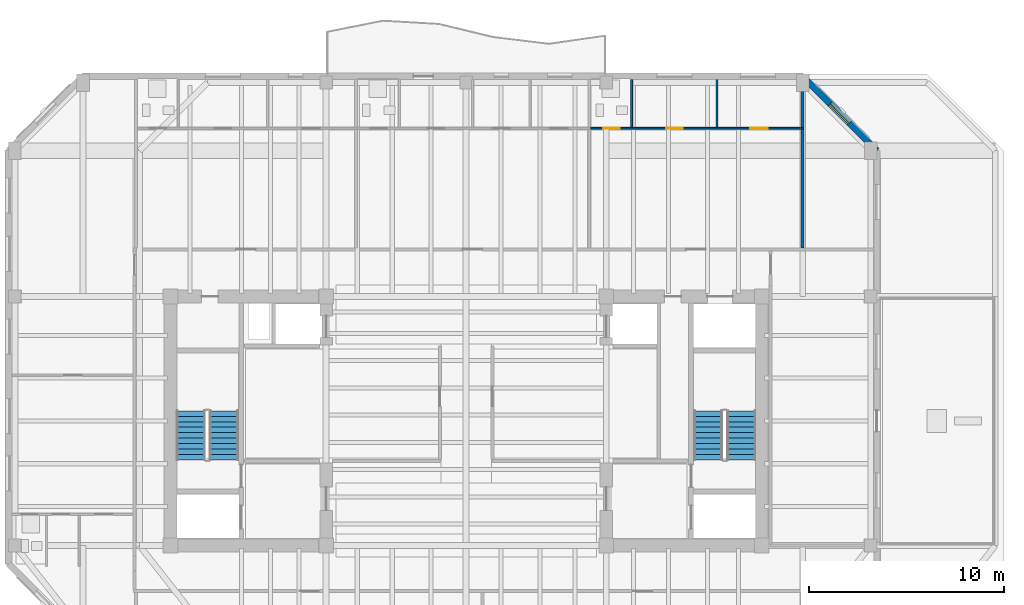
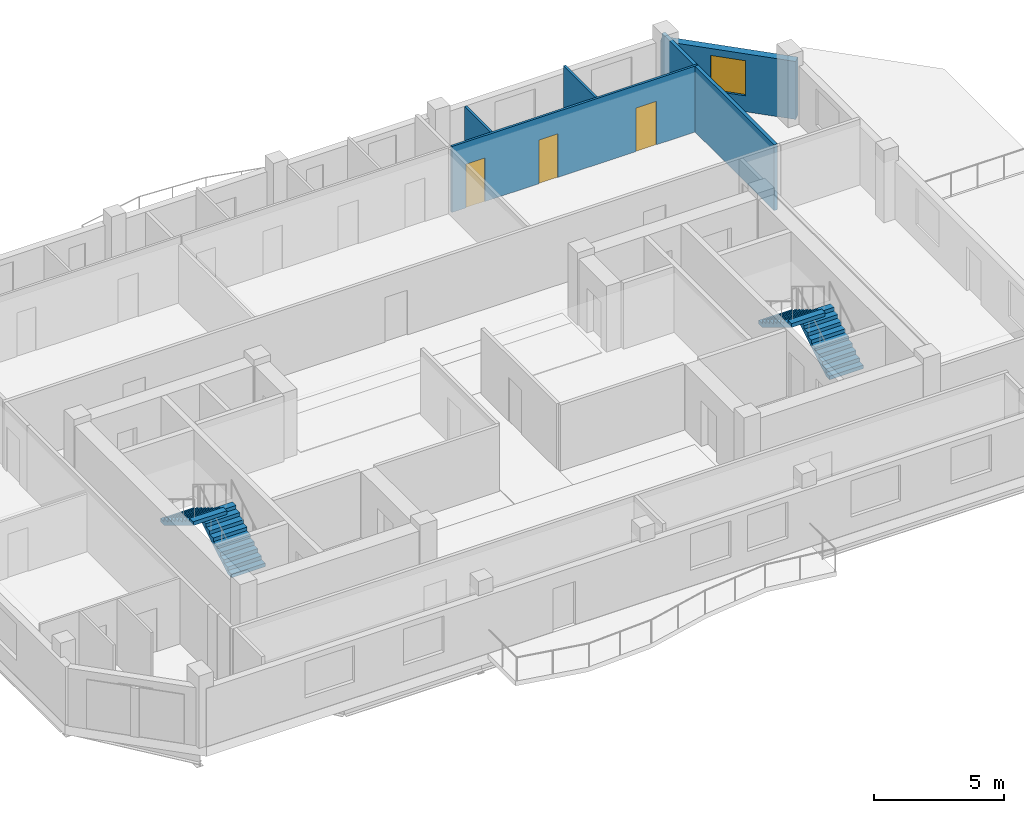
# One storey, part 6 of 10: 5 walls, 4 stair flights, 3 doors, 1 window, 4 openings, 2 elements without a shape of their own.
"""IFC4 building model written with IfcOpenShell, lengths in metres."""

from ifc_helpers import new_model, si_unit, direction, frame, frame_2d, origin, place, context, subcontext, project, spatial, polyline, rectangle, outline, extrude, material, layer, layer_set, type_object, element, fill, aggregate, save


model = new_model("IFC4")

# Units and contexts
model_context = context("Model", 3, precision=1e-05, world=origin(), true_north=direction((0.0, 1.0)))
body_context = subcontext(model_context, "Body", "Model", "MODEL_VIEW")
ifc_project = project(units=[si_unit("LENGTHUNIT", "METRE"), si_unit("AREAUNIT", "SQUARE_METRE"), si_unit("VOLUMEUNIT", "CUBIC_METRE"), si_unit("PLANEANGLEUNIT", "RADIAN"), si_unit("MASSUNIT", "GRAM", prefix="KILO")], contexts=[model_context])

# Site, building, storey
site_placement = place(None, origin())
site = spatial("IfcSite", under=ifc_project, at=site_placement, CompositionType="ELEMENT")
building_placement = place(site_placement, origin())
building = spatial("IfcBuilding", under=site, at=building_placement, Name="Kranthara Brick Stack", CompositionType="ELEMENT")
storey_placement = place(building_placement, frame((0.0, 0.0, 268.699951171875)))
storey = spatial("IfcBuildingStorey", under=building, at=storey_placement, Name="L71", CompositionType="ELEMENT", Elevation=268.699951171875)

# Wall, opening, window
ifc_material_1 = material(Name="Warm buff clay brick masonry M15", Category="masonry")
ifc_layer_1 = layer(ifc_material_1, 0.320068359375)
ifc_layer_set_1 = layer_set([ifc_layer_1], Name="Warm buff clay brick masonry M15")
wall_type_1 = type_object("IfcWallType", Name="WL-BRK-UPPR-320", PredefinedType="STANDARD", material=ifc_layer_set_1)
wall_1_placement = place(storey_placement, frame((45.300048828125, 44.919921875, 0.0), z_axis=(0.0, 0.0, 1.0), x_axis=(0.70712937715, -0.707084184501, 0.0)))
wall_1 = element("IfcWall", 1, at=wall_1_placement, inside=storey, type_object=wall_type_1, Name="L71 Exterior Brick Facade Wall NE 1", PredefinedType="STANDARD", context=body_context, shape_type="SweptSolid", body=[
    extrude(rectangle(XDim=5.402099609375, YDim=0.320068359375, at=frame_2d((2.701171875, 0.0))), origin(), (0.0, 0.0, 1.0), 2.72509765625),
])
opening_1_placement = place(wall_1_placement, frame((2.0009765625, 0.0, 0.75)))
opening_1 = element("IfcOpeningElement", 2, at=opening_1_placement, cuts=wall_1, Name="Opening WN10", PredefinedType="OPENING", context=body_context, shape_type="SweptSolid", body=[
    extrude(rectangle(XDim=1.39990234375, YDim=1.64990234375, at=frame_2d((0.699951171875, 0.824951171875))), frame((0.0, 0.169921875, 0.0), z_axis=(0.0, -1.0, 0.0), x_axis=(1.0, 0.0, 0.0)), (0.0, 0.0, 1.0), 0.340087890625),
])
ifc_material_2 = material(Name="Double-glazed low-E solar control glass", Category="glass")
window_type = type_object("IfcWindowType", Name="WN-CHM-1400x1750", PartitioningType="SINGLE_PANEL", PredefinedType="WINDOW", material=ifc_material_2)
window_placement = place(opening_1_placement, origin())
window = element("IfcWindow", 3, at=window_placement, inside=storey, type_object=window_type, Name="L71 NE Chamfer Corner Window", OverallHeight=1.64990234375, OverallWidth=1.39990234375, PartitioningType="SINGLE_PANEL", PredefinedType="WINDOW", context=body_context, shape_type="SweptSolid", body=[
    extrude(rectangle(XDim=1.39990234375, YDim=1.64990234375, at=frame_2d((0.699951171875, 0.824951171875))), frame((0.0, -0.010009765625, 0.0), z_axis=(0.0, -1.0, 0.0), x_axis=(1.0, 0.0, 0.0)), (0.0, 0.0, 1.0), 0.06005859375),
])
fill(opening_1, window)

# Wall, openings, doors
ifc_material_3 = material(Name="Moisture-resistant wet-room partition", Category="other")
ifc_layer_2 = layer(ifc_material_3, 0.10009765625)
ifc_layer_set_2 = layer_set([ifc_layer_2], Name="Moisture-resistant wet-room partition")
wall_type_2 = type_object("IfcWallType", Name="WL-PART-100", PredefinedType="PARTITIONING", material=ifc_layer_set_2)
wall_2_placement = place(storey_placement, frame((34.409912109375, 42.25, 0.0), z_axis=(0.0, 0.0, 1.0), x_axis=(1.0, 0.0, 0.0)))
wall_2 = element("IfcWall", 4, at=wall_2_placement, inside=storey, type_object=wall_type_2, Name="L71 Interior Partition 020", PredefinedType="PARTITIONING", context=body_context, shape_type="SweptSolid", body=[
    extrude(rectangle(XDim=10.93017578125, YDim=0.10009765625, at=frame_2d((5.465087890625, 0.0))), origin(), (0.0, 0.0, 1.0), 3.10009765625),
])
opening_2_placement = place(wall_2_placement, frame((0.625, 0.0, 0.0)))
opening_2 = element("IfcOpeningElement", 5, at=opening_2_placement, cuts=wall_2, Name="Opening D17", PredefinedType="OPENING", context=body_context, shape_type="SweptSolid", body=[
    extrude(rectangle(XDim=0.85009765625, YDim=2.050048828125, at=frame_2d((0.425048828125, 1.02490234375))), frame((0.0, 0.06005859375, 0.0), z_axis=(0.0, -1.0, 0.0), x_axis=(1.0, 0.0, 0.0)), (0.0, 0.0, 1.0), 0.1201171875),
])
opening_3_placement = place(wall_2_placement, frame((3.867919921875, 0.0, 0.0)))
opening_3 = element("IfcOpeningElement", 6, at=opening_3_placement, cuts=wall_2, Name="Opening D16", PredefinedType="OPENING", context=body_context, shape_type="SweptSolid", body=[
    extrude(rectangle(XDim=0.85009765625, YDim=2.050048828125, at=frame_2d((0.425048828125, 1.02490234375))), frame((0.0, 0.06005859375, 0.0), z_axis=(0.0, -1.0, 0.0), x_axis=(1.0, 0.0, 0.0)), (0.0, 0.0, 1.0), 0.1201171875),
])
opening_4_placement = place(wall_2_placement, frame((8.197998046875, 0.0, 0.0)))
opening_4 = element("IfcOpeningElement", 7, at=opening_4_placement, cuts=wall_2, Name="Opening D15", PredefinedType="OPENING", context=body_context, shape_type="SweptSolid", body=[
    extrude(rectangle(XDim=0.89990234375, YDim=2.050048828125, at=frame_2d((0.449951171875, 1.02490234375))), frame((0.0, 0.06005859375, 0.0), z_axis=(0.0, -1.0, 0.0), x_axis=(1.0, 0.0, 0.0)), (0.0, 0.0, 1.0), 0.1201171875),
])
ifc_material_4 = material(Name="Solid-core hardwood timber leaf in steel frame", Category="steel")
door_type_1 = type_object("IfcDoorType", Name="DR-INT-850", OperationType="NOTDEFINED", PredefinedType="DOOR", material=ifc_material_4)
door_1_placement = place(opening_3_placement, origin())
door_1 = element("IfcDoor", 8, at=door_1_placement, inside=storey, type_object=door_type_1, Name="L71 Unit L71C Kitchen 16", OperationType="SINGLE_SWING_RIGHT", OverallHeight=2.050048828125, OverallWidth=0.85009765625, PredefinedType="DOOR", context=body_context, shape_type="SweptSolid", body=[
    extrude(rectangle(XDim=0.85009765625, YDim=2.050048828125, at=frame_2d((0.425048828125, 1.02490234375))), frame((0.0, 0.02490234375, 0.0), z_axis=(0.0, -1.0, 0.0), x_axis=(1.0, 0.0, 0.0)), (0.0, 0.0, 1.0), 0.050048828125),
])
fill(opening_3, door_1)
ifc_material_5 = material(Name="Solid-core hardwood timber leaf in steel frame", Category="steel")
door_type_2 = type_object("IfcDoorType", Name="DR-INT-900", OperationType="NOTDEFINED", PredefinedType="DOOR", material=ifc_material_5)
door_2_placement = place(opening_4_placement, origin())
door_2 = element("IfcDoor", 9, at=door_2_placement, inside=storey, type_object=door_type_2, Name="L71 Unit L71C Bedroom 17", OperationType="SINGLE_SWING_LEFT", OverallHeight=2.050048828125, OverallWidth=0.89990234375, PredefinedType="DOOR", context=body_context, shape_type="SweptSolid", body=[
    extrude(rectangle(XDim=0.89990234375, YDim=2.050048828125, at=frame_2d((0.449951171875, 1.02490234375))), frame((0.0, 0.02490234375, 0.0), z_axis=(0.0, -1.0, 0.0), x_axis=(1.0, 0.0, 0.0)), (0.0, 0.0, 1.0), 0.050048828125),
])
fill(opening_4, door_2)
ifc_material_6 = material(Name="Solid-core hardwood timber leaf in steel frame", Category="steel")
door_type_3 = type_object("IfcDoorType", Name="DR-WET-850", OperationType="NOTDEFINED", PredefinedType="DOOR", material=ifc_material_6)
door_3_placement = place(opening_2_placement, origin())
door_3 = element("IfcDoor", 10, at=door_3_placement, inside=storey, type_object=door_type_3, Name="L71 Unit L71C Bathroom 15", OperationType="SINGLE_SWING_LEFT", OverallHeight=2.050048828125, OverallWidth=0.85009765625, PredefinedType="DOOR", context=body_context, shape_type="SweptSolid", body=[
    extrude(rectangle(XDim=0.85009765625, YDim=2.050048828125, at=frame_2d((0.425048828125, 1.02490234375))), frame((0.0, 0.02490234375, 0.0), z_axis=(0.0, -1.0, 0.0), x_axis=(1.0, 0.0, 0.0)), (0.0, 0.0, 1.0), 0.050048828125),
])
fill(opening_2, door_3)

# Walls
wall_3_placement = place(storey_placement, frame((36.510009765625, 42.304931640625, 0.0), z_axis=(0.0, 0.0, 1.0), x_axis=(0.0, 1.0, 0.0)))
element("IfcWall", 11, at=wall_3_placement, inside=storey, type_object=wall_type_2, Name="L71 Interior Partition 021", PredefinedType="PARTITIONING", context=body_context, shape_type="SweptSolid", body=[
    extrude(rectangle(XDim=2.449951171875, YDim=0.10009765625, at=frame_2d((1.22509765625, 0.0))), origin(), (0.0, 0.0, 1.0), 2.72509765625),
])
wall_4_placement = place(storey_placement, frame((40.89599609375, 42.304931640625, 0.0), z_axis=(0.0, 0.0, 1.0), x_axis=(0.0, 1.0, 0.0)))
element("IfcWall", 12, at=wall_4_placement, inside=storey, type_object=wall_type_2, Name="L71 Interior Partition 022", PredefinedType="PARTITIONING", context=body_context, shape_type="SweptSolid", body=[
    extrude(rectangle(XDim=2.449951171875, YDim=0.10009765625, at=frame_2d((1.22509765625, 0.0))), origin(), (0.0, 0.0, 1.0), 3.10009765625),
])
ifc_material_7 = material(Name="Fire-rated gypsum board partition", Category="other")
ifc_layer_3 = layer(ifc_material_7, 0.14990234375)
ifc_layer_set_3 = layer_set([ifc_layer_3], Name="Fire-rated gypsum board partition")
wall_type_3 = type_object("IfcWallType", Name="WL-PART-150", PredefinedType="PARTITIONING", material=ifc_layer_set_3)
wall_5_placement = place(storey_placement, frame((45.300048828125, 36.10009765625, 0.0), z_axis=(0.0, 0.0, 1.0), x_axis=(0.0, 1.0, 0.0)))
element("IfcWall", 13, at=wall_5_placement, inside=storey, type_object=wall_type_3, Name="L71 Interior Partition 023", PredefinedType="PARTITIONING", context=body_context, shape_type="SweptSolid", body=[
    extrude(rectangle(XDim=8.65478515625, YDim=0.14990234375, at=frame_2d((4.327392578125, 0.0))), origin(), (0.0, 0.0, 1.0), 3.10009765625),
])

# Stair, stair flights
ifc_material_8 = material(Name="Concrete C45/55", Category="concrete")
stair_type = type_object("IfcStairType", Name="ST-CORE-20R", PredefinedType="HALF_TURN_STAIR", material=ifc_material_8)
stair_1_placement = place(storey_placement, origin())
stair_1 = element("IfcStair", 14, at=stair_1_placement, inside=storey, type_object=stair_type, Name="L71 West Core Protected Exit Stair ST01", PredefinedType="HALF_TURN_STAIR")
ifc_material_9 = material(Name="Concrete C45/55", Category="concrete")
stair_flight_type = type_object("IfcStairFlightType", Name="SFL-RC-20R", PredefinedType="STRAIGHT", material=ifc_material_9)
stair_flight_1_placement = place(storey_placement, frame((15.550048828125, 25.199951171875, 0.0), z_axis=(0.0, 0.0, 1.0), x_axis=(0.0, 1.0, 0.0)))
stair_flight_1 = element("IfcStairFlight", 15, at=stair_flight_1_placement, type_object=stair_flight_type, Name="ST01 flight 1", NumberOfRisers=10, NumberOfTreads=9, PredefinedType="STRAIGHT", RiserHeight=0.17, TreadLength=0.28, context=body_context, shape_type="SweptSolid", body=[
    extrude(outline(polyline([(0.0, 0.0), (0.0, 0.169921875), (0.280029296875, 0.169921875), (0.280029296875, 0.340087890625), (0.56005859375, 0.340087890625), (0.56005859375, 0.510009765625), (0.840087890625, 0.510009765625), (0.840087890625, 0.679931640625), (1.1201171875, 0.679931640625), (1.1201171875, 0.85009765625), (1.39990234375, 0.85009765625), (1.39990234375, 1.02001953125), (1.679931640625, 1.02001953125), (1.679931640625, 1.18994140625), (1.9599609375, 1.18994140625), (1.9599609375, 1.360107421875), (2.239990234375, 1.360107421875), (2.239990234375, 1.530029296875), (2.52001953125, 1.530029296875), (2.52001953125, 1.699951171875), (2.52001953125, 1.354736328125), (0.288818359375, 0.0), (0.0, 0.0)])), frame((0.0, 0.75, 0.0), z_axis=(0.0, -1.0, 0.0), x_axis=(1.0, 0.0, 0.0)), (0.0, 0.0, 1.0), 1.5),
])
stair_flight_2_placement = place(storey_placement, frame((13.85009765625, 27.719970703125, 1.699951171875), z_axis=(0.0, 0.0, 1.0), x_axis=(0.0, -1.0, 0.0)))
stair_flight_2 = element("IfcStairFlight", 16, at=stair_flight_2_placement, type_object=stair_flight_type, Name="ST01 flight 2", NumberOfRisers=10, NumberOfTreads=9, PredefinedType="STRAIGHT", RiserHeight=0.17, TreadLength=0.28, context=body_context, shape_type="SweptSolid", body=[
    extrude(outline(polyline([(0.0, 0.0), (0.0, 0.169921875), (0.280029296875, 0.169921875), (0.280029296875, 0.340087890625), (0.56005859375, 0.340087890625), (0.56005859375, 0.510009765625), (0.840087890625, 0.510009765625), (0.840087890625, 0.679931640625), (1.1201171875, 0.679931640625), (1.1201171875, 0.85009765625), (1.39990234375, 0.85009765625), (1.39990234375, 1.02001953125), (1.679931640625, 1.02001953125), (1.679931640625, 1.18994140625), (1.9599609375, 1.18994140625), (1.9599609375, 1.360107421875), (2.239990234375, 1.360107421875), (2.239990234375, 1.530029296875), (2.52001953125, 1.530029296875), (2.52001953125, 1.699951171875), (2.52001953125, 1.354736328125), (0.288818359375, 0.0), (0.0, 0.0)])), frame((0.0, 0.75, 0.0), z_axis=(0.0, -1.0, 0.0), x_axis=(1.0, 0.0, 0.0)), (0.0, 0.0, 1.0), 1.5),
])
aggregate(stair_1, [stair_flight_1, stair_flight_2])

stair_2_placement = place(storey_placement, origin())
stair_2 = element("IfcStair", 17, at=stair_2_placement, inside=storey, type_object=stair_type, Name="L71 East Core Protected Exit Stair ST02", PredefinedType="HALF_TURN_STAIR")
stair_flight_3_placement = place(storey_placement, frame((42.14990234375, 25.199951171875, 0.0), z_axis=(0.0, 0.0, 1.0), x_axis=(0.0, 1.0, 0.0)))
stair_flight_3 = element("IfcStairFlight", 18, at=stair_flight_3_placement, type_object=stair_flight_type, Name="ST02 flight 1", NumberOfRisers=10, NumberOfTreads=9, PredefinedType="STRAIGHT", RiserHeight=0.17, TreadLength=0.28, context=body_context, shape_type="SweptSolid", body=[
    extrude(outline(polyline([(0.0, 0.0), (0.0, 0.169921875), (0.280029296875, 0.169921875), (0.280029296875, 0.340087890625), (0.56005859375, 0.340087890625), (0.56005859375, 0.510009765625), (0.840087890625, 0.510009765625), (0.840087890625, 0.679931640625), (1.1201171875, 0.679931640625), (1.1201171875, 0.85009765625), (1.39990234375, 0.85009765625), (1.39990234375, 1.02001953125), (1.679931640625, 1.02001953125), (1.679931640625, 1.18994140625), (1.9599609375, 1.18994140625), (1.9599609375, 1.360107421875), (2.239990234375, 1.360107421875), (2.239990234375, 1.530029296875), (2.52001953125, 1.530029296875), (2.52001953125, 1.699951171875), (2.52001953125, 1.354736328125), (0.288818359375, 0.0), (0.0, 0.0)])), frame((0.0, 0.75, 0.0), z_axis=(0.0, -1.0, 0.0), x_axis=(1.0, 0.0, 0.0)), (0.0, 0.0, 1.0), 1.5),
])
stair_flight_4_placement = place(storey_placement, frame((40.449951171875, 27.719970703125, 1.699951171875), z_axis=(0.0, 0.0, 1.0), x_axis=(0.0, -1.0, 0.0)))
stair_flight_4 = element("IfcStairFlight", 19, at=stair_flight_4_placement, type_object=stair_flight_type, Name="ST02 flight 2", NumberOfRisers=10, NumberOfTreads=9, PredefinedType="STRAIGHT", RiserHeight=0.17, TreadLength=0.28, context=body_context, shape_type="SweptSolid", body=[
    extrude(outline(polyline([(0.0, 0.0), (0.0, 0.169921875), (0.280029296875, 0.169921875), (0.280029296875, 0.340087890625), (0.56005859375, 0.340087890625), (0.56005859375, 0.510009765625), (0.840087890625, 0.510009765625), (0.840087890625, 0.679931640625), (1.1201171875, 0.679931640625), (1.1201171875, 0.85009765625), (1.39990234375, 0.85009765625), (1.39990234375, 1.02001953125), (1.679931640625, 1.02001953125), (1.679931640625, 1.18994140625), (1.9599609375, 1.18994140625), (1.9599609375, 1.360107421875), (2.239990234375, 1.360107421875), (2.239990234375, 1.530029296875), (2.52001953125, 1.530029296875), (2.52001953125, 1.699951171875), (2.52001953125, 1.354736328125), (0.288818359375, 0.0), (0.0, 0.0)])), frame((0.0, 0.75, 0.0), z_axis=(0.0, -1.0, 0.0), x_axis=(1.0, 0.0, 0.0)), (0.0, 0.0, 1.0), 1.5),
])
aggregate(stair_2, [stair_flight_3, stair_flight_4])

save(model, "model.ifc")
